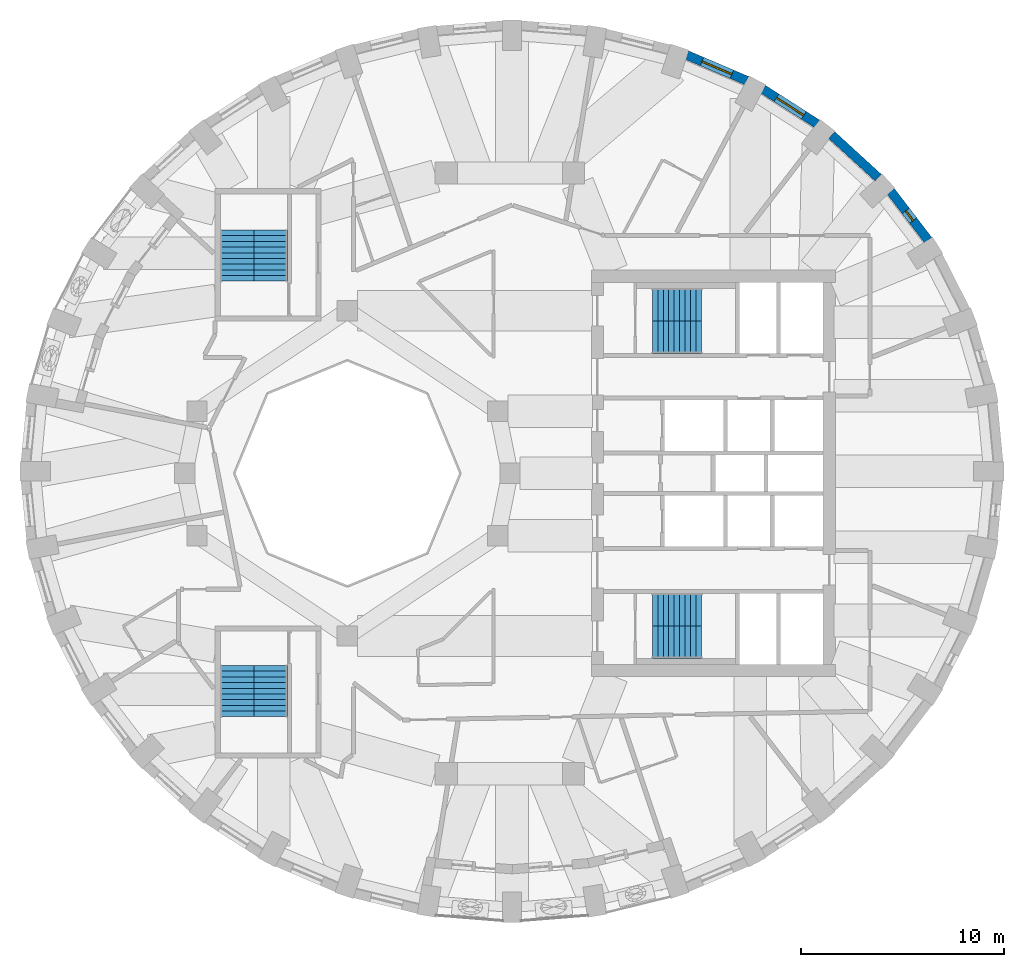
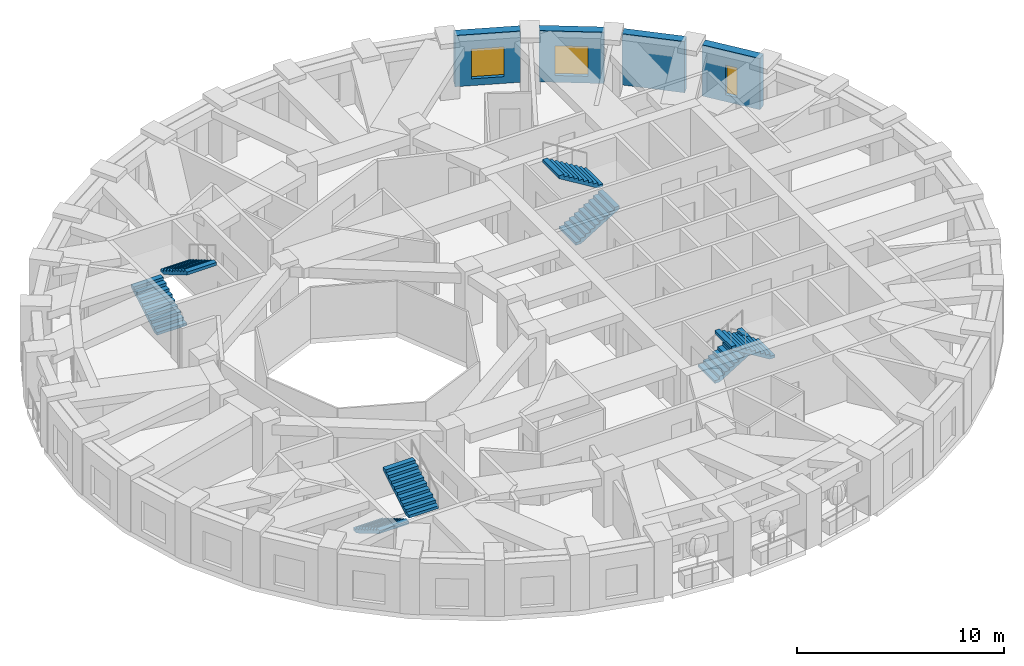
# One storey, part 8 of 11: 8 stair flights, 4 walls, 3 windows, 3 openings, 4 elements without a shape of their own.
"""IFC4 building model written with IfcOpenShell, lengths in metres."""

from ifc_helpers import new_model, si_unit, direction, frame, frame_2d, origin, place, context, subcontext, project, spatial, polyline, rectangle, outline, extrude, material, layer, layer_set, type_object, element, fill, aggregate, save


model = new_model("IFC4")

# Units and contexts
model_context = context("Model", 3, precision=1e-05, world=origin(), true_north=direction((0.0, 1.0)))
body_context = subcontext(model_context, "Body", "Model", "MODEL_VIEW")
ifc_project = project(units=[si_unit("LENGTHUNIT", "METRE"), si_unit("AREAUNIT", "SQUARE_METRE"), si_unit("VOLUMEUNIT", "CUBIC_METRE"), si_unit("PLANEANGLEUNIT", "RADIAN"), si_unit("MASSUNIT", "GRAM", prefix="KILO")], contexts=[model_context])

# Site, building, storey
site_placement = place(None, origin())
site = spatial("IfcSite", under=ifc_project, at=site_placement, CompositionType="ELEMENT")
building_placement = place(site_placement, origin())
building = spatial("IfcBuilding", under=site, at=building_placement, Name="Taillehof Tower", CompositionType="ELEMENT")
storey_placement = place(building_placement, frame((0.0, 0.0, 155.0)))
storey = spatial("IfcBuildingStorey", under=building, at=storey_placement, Name="L43", CompositionType="ELEMENT", Elevation=155.0)

# Wall, opening, window
ifc_material_1 = material(Name="Brick masonry", Category="masonry")
ifc_layer = layer(ifc_material_1, 0.449951171875)
ifc_layer_set = layer_set([ifc_layer], Name="Brick infill wall 450")
wall_type = type_object("IfcWallType", Name="Brick infill wall 450", PredefinedType="SOLIDWALL", material=ifc_layer_set)
wall_1_placement = place(storey_placement, frame((20.573974609375, 11.467041015625, 0.0), z_axis=(0.0, 0.0, 1.0), x_axis=(-0.607817056371, 0.794077090706, 0.0)))
wall_1 = element("IfcWall", 1, at=wall_1_placement, inside=storey, type_object=wall_type, Name="Brick wall L43 bay 4", PredefinedType="SOLIDWALL", context=body_context, shape_type="SweptSolid", body=[
    extrude(rectangle(XDim=3.037109375, YDim=0.449951171875, at=frame_2d((1.5185546875, 0.0))), origin(), (0.0, 0.0, 1.0), 3.02001953125),
])
opening_1_placement = place(wall_1_placement, frame((1.218505859375, 0.0, 0.39990234375)))
opening_1 = element("IfcOpeningElement", 2, at=opening_1_placement, cuts=wall_1, Name="Opening W6", PredefinedType="OPENING", context=body_context, shape_type="SweptSolid", body=[
    extrude(rectangle(XDim=0.60009765625, YDim=1.75, at=frame_2d((0.300048828125, 0.875))), frame((0.0, 0.23486328125, 0.0), z_axis=(0.0, -1.0, 0.0), x_axis=(1.0, 0.0, 0.0)), (0.0, 0.0, 1.0), 0.469970703125),
])
ifc_material_2 = material(Name="Aluminium window frame with clear double glazing", Category="aluminium")
window_type_1 = type_object("IfcWindowType", Name="Slot window 600x1750", PartitioningType="SINGLE_PANEL", PredefinedType="WINDOW", material=ifc_material_2)
window_1_placement = place(opening_1_placement, origin())
window_1 = element("IfcWindow", 3, at=window_1_placement, inside=storey, type_object=window_type_1, Name="W6", OverallHeight=1.75, OverallWidth=0.60009765625, PartitioningType="SINGLE_PANEL", PredefinedType="WINDOW", context=body_context, shape_type="SweptSolid", body=[
    extrude(rectangle(XDim=0.60009765625, YDim=1.75, at=frame_2d((0.300048828125, 0.875))), frame((0.0, 0.034912109375, 0.0), z_axis=(0.0, -1.0, 0.0), x_axis=(1.0, 0.0, 0.0)), (0.0, 0.0, 1.0), 0.06005859375),
])
fill(opening_1, window_1)

# Wall
wall_2_placement = place(storey_placement, frame((18.11328125, 14.5498046875, 0.0), z_axis=(0.0, 0.0, 1.0), x_axis=(-0.737808755941, 0.675009807082, 0.0)))
element("IfcWall", 4, at=wall_2_placement, inside=storey, type_object=wall_type, Name="Brick wall L43 bay 5", PredefinedType="SOLIDWALL", context=body_context, shape_type="SweptSolid", body=[
    extrude(rectangle(XDim=3.094482421875, YDim=0.449951171875, at=frame_2d((1.54736328125, 0.0))), origin(), (0.0, 0.0, 1.0), 3.02001953125),
])

# Wall, opening, window
wall_3_placement = place(storey_placement, frame((15.1083984375, 17.193359375, 0.0), z_axis=(0.0, 0.0, 1.0), x_axis=(-0.842030726237, 0.539429565442, 0.0)))
wall_3 = element("IfcWall", 5, at=wall_3_placement, inside=storey, type_object=wall_type, Name="Brick wall L43 bay 6", PredefinedType="SOLIDWALL", context=body_context, shape_type="SweptSolid", body=[
    extrude(rectangle(XDim=3.1513671875, YDim=0.449951171875, at=frame_2d((1.57568359375, 0.0))), origin(), (0.0, 0.0, 1.0), 3.02001953125),
])
opening_2_placement = place(wall_3_placement, frame((0.775634765625, 0.0, 0.39990234375)))
opening_2 = element("IfcOpeningElement", 6, at=opening_2_placement, cuts=wall_3, Name="Opening W3", PredefinedType="OPENING", context=body_context, shape_type="SweptSolid", body=[
    extrude(rectangle(XDim=1.60009765625, YDim=1.75, at=frame_2d((0.800048828125, 0.875))), frame((0.0, 0.23486328125, 0.0), z_axis=(0.0, -1.0, 0.0), x_axis=(1.0, 0.0, 0.0)), (0.0, 0.0, 1.0), 0.469970703125),
])
ifc_material_3 = material(Name="Aluminium window frame with clear double glazing", Category="aluminium")
window_type_2 = type_object("IfcWindowType", Name="Deep-set window 1600x1750", PartitioningType="SINGLE_PANEL", PredefinedType="WINDOW", material=ifc_material_3)
window_2_placement = place(opening_2_placement, origin())
window_2 = element("IfcWindow", 7, at=window_2_placement, inside=storey, type_object=window_type_2, Name="W3", OverallHeight=1.75, OverallWidth=1.60009765625, PartitioningType="SINGLE_PANEL", PredefinedType="WINDOW", context=body_context, shape_type="SweptSolid", body=[
    extrude(rectangle(XDim=1.60009765625, YDim=1.75, at=frame_2d((0.800048828125, 0.875))), frame((0.0, 0.034912109375, 0.0), z_axis=(0.0, -1.0, 0.0), x_axis=(1.0, 0.0, 0.0)), (0.0, 0.0, 1.0), 0.06005859375),
])
fill(opening_2, window_2)

wall_4_placement = place(storey_placement, frame((11.650390625, 19.318603515625, 0.0), z_axis=(0.0, 0.0, 1.0), x_axis=(-0.91981046949, 0.392362969986, 0.0)))
wall_4 = element("IfcWall", 8, at=wall_4_placement, inside=storey, type_object=wall_type, Name="Brick wall L43 bay 7", PredefinedType="SOLIDWALL", context=body_context, shape_type="SweptSolid", body=[
    extrude(rectangle(XDim=3.20068359375, YDim=0.449951171875, at=frame_2d((1.600341796875, 0.0))), origin(), (0.0, 0.0, 1.0), 3.02001953125),
])
opening_3_placement = place(wall_4_placement, frame((0.80029296875, 0.0, 0.39990234375)))
opening_3 = element("IfcOpeningElement", 9, at=opening_3_placement, cuts=wall_4, Name="Opening W3", PredefinedType="OPENING", context=body_context, shape_type="SweptSolid", body=[
    extrude(rectangle(XDim=1.60009765625, YDim=1.75, at=frame_2d((0.800048828125, 0.875))), frame((0.0, 0.23486328125, 0.0), z_axis=(0.0, -1.0, 0.0), x_axis=(1.0, 0.0, 0.0)), (0.0, 0.0, 1.0), 0.469970703125),
])
window_3_placement = place(opening_3_placement, origin())
window_3 = element("IfcWindow", 10, at=window_3_placement, inside=storey, type_object=window_type_2, Name="W3", OverallHeight=1.75, OverallWidth=1.60009765625, PartitioningType="SINGLE_PANEL", PredefinedType="WINDOW", context=body_context, shape_type="SweptSolid", body=[
    extrude(rectangle(XDim=1.60009765625, YDim=1.75, at=frame_2d((0.800048828125, 0.875))), frame((0.0, 0.034912109375, 0.0), z_axis=(0.0, -1.0, 0.0), x_axis=(1.0, 0.0, 0.0)), (0.0, 0.0, 1.0), 0.06005859375),
])
fill(opening_3, window_3)

# Stair, stair flights
ifc_material_4 = material(Name="Concrete C40/50", Category="concrete")
stair_type = type_object("IfcStairType", Name="Exit stair half-turn", PredefinedType="HALF_TURN_STAIR", material=ifc_material_4)
stair_1_placement = place(storey_placement, origin())
stair_1 = element("IfcStair", 11, at=stair_1_placement, inside=storey, type_object=stair_type, Name="Exit stair S1", PredefinedType="HALF_TURN_STAIR")
ifc_material_5 = material(Name="Concrete C40/50", Category="concrete")
stair_flight_type_1 = type_object("IfcStairFlightType", Name="Stair flight 1600 riser 165.0 going 270", PredefinedType="STRAIGHT", material=ifc_material_5)
stair_flight_1_placement = place(storey_placement, frame((7.0, 6.699951171875, 0.0), z_axis=(0.0, 0.0, 1.0), x_axis=(1.0, 0.0, 0.0)))
stair_flight_1 = element("IfcStairFlight", 12, at=stair_flight_1_placement, type_object=stair_flight_type_1, Name="S1 flight 1", NumberOfRisers=10, NumberOfTreads=9, PredefinedType="STRAIGHT", RiserHeight=0.165, TreadLength=0.27, context=body_context, shape_type="SweptSolid", body=[
    extrude(outline(polyline([(0.0, 0.0), (0.0, 0.00537109375), (0.0, 0.0107421875), (0.0, 0.015869140625), (0.0, 0.021240234375), (0.0, 0.026611328125), (0.0, 0.031982421875), (0.0, 0.037353515625), (0.0, 0.04248046875), (0.0, 0.0478515625), (0.0, 0.05322265625), (0.0, 0.05859375), (0.0, 0.06396484375), (0.0, 0.069091796875), (0.0, 0.074462890625), (0.0, 0.079833984375), (0.0, 0.085205078125), (0.0, 0.090576171875), (0.0, 0.095703125), (0.0, 0.10107421875), (0.0, 0.1064453125), (0.0, 0.11181640625), (0.0, 0.1171875), (0.0, 0.122314453125), (0.0, 0.127685546875), (0.0, 0.133056640625), (0.0, 0.138427734375), (0.0, 0.143798828125), (0.0, 0.14892578125), (0.0, 0.154296875), (0.0, 0.15966796875), (0.0, 0.1650390625), (0.27001953125, 0.1650390625), (0.27001953125, 0.330078125), (0.5400390625, 0.330078125), (0.5400390625, 0.4951171875), (0.81005859375, 0.4951171875), (0.81005859375, 0.659912109375), (1.080078125, 0.659912109375), (1.080078125, 0.824951171875), (1.35009765625, 0.824951171875), (1.35009765625, 0.989990234375), (1.6201171875, 0.989990234375), (1.6201171875, 1.155029296875), (1.889892578125, 1.155029296875), (1.889892578125, 1.320068359375), (2.159912109375, 1.320068359375), (2.159912109375, 1.485107421875), (2.429931640625, 1.485107421875), (2.429931640625, 1.479248046875), (2.429931640625, 1.4736328125), (2.429931640625, 1.468017578125), (2.429931640625, 1.46240234375), (2.429931640625, 1.45654296875), (2.429931640625, 1.450927734375), (2.429931640625, 1.4453125), (2.429931640625, 1.439697265625), (2.429931640625, 1.43408203125), (2.429931640625, 1.42822265625), (2.429931640625, 1.422607421875), (2.429931640625, 1.4169921875), (2.429931640625, 1.411376953125), (2.429931640625, 1.40576171875), (2.429931640625, 1.39990234375), (2.429931640625, 1.394287109375), (2.429931640625, 1.388671875), (2.429931640625, 1.383056640625), (2.429931640625, 1.37744140625), (2.429931640625, 1.37158203125), (2.429931640625, 1.365966796875), (2.429931640625, 1.3603515625), (2.429931640625, 1.354736328125), (2.429931640625, 1.348876953125), (2.429931640625, 1.34326171875), (2.429931640625, 1.337646484375), (2.429931640625, 1.33203125), (2.429931640625, 1.326416015625), (2.429931640625, 1.320556640625), (2.429931640625, 1.31494140625), (2.429931640625, 1.309326171875), (0.287353515625, 0.0), (0.0, 0.0)])), frame((0.0, 0.800048828125, 0.0), z_axis=(0.0, -1.0, 0.0), x_axis=(1.0, 0.0, 0.0)), (0.0, 0.0, 1.0), 1.6),
])
stair_flight_2_placement = place(storey_placement, frame((9.429931640625, 8.300048828125, 1.64990234375), z_axis=(0.0, 0.0, 1.0), x_axis=(-1.0, 0.0, 0.0)))
stair_flight_2 = element("IfcStairFlight", 13, at=stair_flight_2_placement, type_object=stair_flight_type_1, Name="S1 flight 2", NumberOfRisers=10, NumberOfTreads=9, PredefinedType="STRAIGHT", RiserHeight=0.165, TreadLength=0.27, context=body_context, shape_type="SweptSolid", body=[
    extrude(outline(polyline([(0.0, 0.0), (0.0, 0.00537109375), (0.0, 0.0107421875), (0.0, 0.015869140625), (0.0, 0.021240234375), (0.0, 0.026611328125), (0.0, 0.031982421875), (0.0, 0.037353515625), (0.0, 0.04248046875), (0.0, 0.0478515625), (0.0, 0.05322265625), (0.0, 0.05859375), (0.0, 0.06396484375), (0.0, 0.069091796875), (0.0, 0.074462890625), (0.0, 0.079833984375), (0.0, 0.085205078125), (0.0, 0.090576171875), (0.0, 0.095703125), (0.0, 0.10107421875), (0.0, 0.1064453125), (0.0, 0.11181640625), (0.0, 0.1171875), (0.0, 0.122314453125), (0.0, 0.127685546875), (0.0, 0.133056640625), (0.0, 0.138427734375), (0.0, 0.143798828125), (0.0, 0.14892578125), (0.0, 0.154296875), (0.0, 0.15966796875), (0.0, 0.1650390625), (0.27001953125, 0.1650390625), (0.27001953125, 0.330078125), (0.5400390625, 0.330078125), (0.5400390625, 0.4951171875), (0.81005859375, 0.4951171875), (0.81005859375, 0.659912109375), (1.080078125, 0.659912109375), (1.080078125, 0.824951171875), (1.35009765625, 0.824951171875), (1.35009765625, 0.989990234375), (1.6201171875, 0.989990234375), (1.6201171875, 1.155029296875), (1.889892578125, 1.155029296875), (1.889892578125, 1.320068359375), (2.159912109375, 1.320068359375), (2.159912109375, 1.485107421875), (2.429931640625, 1.485107421875), (2.429931640625, 1.479248046875), (2.429931640625, 1.4736328125), (2.429931640625, 1.468017578125), (2.429931640625, 1.46240234375), (2.429931640625, 1.45654296875), (2.429931640625, 1.450927734375), (2.429931640625, 1.4453125), (2.429931640625, 1.439697265625), (2.429931640625, 1.43408203125), (2.429931640625, 1.42822265625), (2.429931640625, 1.422607421875), (2.429931640625, 1.4169921875), (2.429931640625, 1.411376953125), (2.429931640625, 1.40576171875), (2.429931640625, 1.39990234375), (2.429931640625, 1.394287109375), (2.429931640625, 1.388671875), (2.429931640625, 1.383056640625), (2.429931640625, 1.37744140625), (2.429931640625, 1.37158203125), (2.429931640625, 1.365966796875), (2.429931640625, 1.3603515625), (2.429931640625, 1.354736328125), (2.429931640625, 1.348876953125), (2.429931640625, 1.34326171875), (2.429931640625, 1.337646484375), (2.429931640625, 1.33203125), (2.429931640625, 1.326416015625), (2.429931640625, 1.320556640625), (2.429931640625, 1.31494140625), (2.429931640625, 1.309326171875), (0.287353515625, 0.0), (0.0, 0.0)])), frame((0.0, 0.800048828125, 0.0), z_axis=(0.0, -1.0, 0.0), x_axis=(1.0, 0.0, 0.0)), (0.0, 0.0, 1.0), 1.6),
])
aggregate(stair_1, [stair_flight_1, stair_flight_2])

stair_2_placement = place(storey_placement, origin())
stair_2 = element("IfcStair", 14, at=stair_2_placement, inside=storey, type_object=stair_type, Name="Exit stair S2", PredefinedType="HALF_TURN_STAIR")
stair_flight_3_placement = place(storey_placement, frame((7.0, -6.699951171875, 0.0), z_axis=(0.0, 0.0, 1.0), x_axis=(1.0, 0.0, 0.0)))
stair_flight_3 = element("IfcStairFlight", 15, at=stair_flight_3_placement, type_object=stair_flight_type_1, Name="S2 flight 1", NumberOfRisers=10, NumberOfTreads=9, PredefinedType="STRAIGHT", RiserHeight=0.165, TreadLength=0.27, context=body_context, shape_type="SweptSolid", body=[
    extrude(outline(polyline([(0.0, 0.0), (0.0, 0.00537109375), (0.0, 0.0107421875), (0.0, 0.015869140625), (0.0, 0.021240234375), (0.0, 0.026611328125), (0.0, 0.031982421875), (0.0, 0.037353515625), (0.0, 0.04248046875), (0.0, 0.0478515625), (0.0, 0.05322265625), (0.0, 0.05859375), (0.0, 0.06396484375), (0.0, 0.069091796875), (0.0, 0.074462890625), (0.0, 0.079833984375), (0.0, 0.085205078125), (0.0, 0.090576171875), (0.0, 0.095703125), (0.0, 0.10107421875), (0.0, 0.1064453125), (0.0, 0.11181640625), (0.0, 0.1171875), (0.0, 0.122314453125), (0.0, 0.127685546875), (0.0, 0.133056640625), (0.0, 0.138427734375), (0.0, 0.143798828125), (0.0, 0.14892578125), (0.0, 0.154296875), (0.0, 0.15966796875), (0.0, 0.1650390625), (0.27001953125, 0.1650390625), (0.27001953125, 0.330078125), (0.5400390625, 0.330078125), (0.5400390625, 0.4951171875), (0.81005859375, 0.4951171875), (0.81005859375, 0.659912109375), (1.080078125, 0.659912109375), (1.080078125, 0.824951171875), (1.35009765625, 0.824951171875), (1.35009765625, 0.989990234375), (1.6201171875, 0.989990234375), (1.6201171875, 1.155029296875), (1.889892578125, 1.155029296875), (1.889892578125, 1.320068359375), (2.159912109375, 1.320068359375), (2.159912109375, 1.485107421875), (2.429931640625, 1.485107421875), (2.429931640625, 1.479248046875), (2.429931640625, 1.4736328125), (2.429931640625, 1.468017578125), (2.429931640625, 1.46240234375), (2.429931640625, 1.45654296875), (2.429931640625, 1.450927734375), (2.429931640625, 1.4453125), (2.429931640625, 1.439697265625), (2.429931640625, 1.43408203125), (2.429931640625, 1.42822265625), (2.429931640625, 1.422607421875), (2.429931640625, 1.4169921875), (2.429931640625, 1.411376953125), (2.429931640625, 1.40576171875), (2.429931640625, 1.39990234375), (2.429931640625, 1.394287109375), (2.429931640625, 1.388671875), (2.429931640625, 1.383056640625), (2.429931640625, 1.37744140625), (2.429931640625, 1.37158203125), (2.429931640625, 1.365966796875), (2.429931640625, 1.3603515625), (2.429931640625, 1.354736328125), (2.429931640625, 1.348876953125), (2.429931640625, 1.34326171875), (2.429931640625, 1.337646484375), (2.429931640625, 1.33203125), (2.429931640625, 1.326416015625), (2.429931640625, 1.320556640625), (2.429931640625, 1.31494140625), (2.429931640625, 1.309326171875), (0.287353515625, 0.0), (0.0, 0.0)])), frame((0.0, 0.800048828125, 0.0), z_axis=(0.0, -1.0, 0.0), x_axis=(1.0, 0.0, 0.0)), (0.0, 0.0, 1.0), 1.6),
])
stair_flight_4_placement = place(storey_placement, frame((9.429931640625, -8.300048828125, 1.64990234375), z_axis=(0.0, 0.0, 1.0), x_axis=(-1.0, 0.0, 0.0)))
stair_flight_4 = element("IfcStairFlight", 16, at=stair_flight_4_placement, type_object=stair_flight_type_1, Name="S2 flight 2", NumberOfRisers=10, NumberOfTreads=9, PredefinedType="STRAIGHT", RiserHeight=0.165, TreadLength=0.27, context=body_context, shape_type="SweptSolid", body=[
    extrude(outline(polyline([(0.0, 0.0), (0.0, 0.00537109375), (0.0, 0.0107421875), (0.0, 0.015869140625), (0.0, 0.021240234375), (0.0, 0.026611328125), (0.0, 0.031982421875), (0.0, 0.037353515625), (0.0, 0.04248046875), (0.0, 0.0478515625), (0.0, 0.05322265625), (0.0, 0.05859375), (0.0, 0.06396484375), (0.0, 0.069091796875), (0.0, 0.074462890625), (0.0, 0.079833984375), (0.0, 0.085205078125), (0.0, 0.090576171875), (0.0, 0.095703125), (0.0, 0.10107421875), (0.0, 0.1064453125), (0.0, 0.11181640625), (0.0, 0.1171875), (0.0, 0.122314453125), (0.0, 0.127685546875), (0.0, 0.133056640625), (0.0, 0.138427734375), (0.0, 0.143798828125), (0.0, 0.14892578125), (0.0, 0.154296875), (0.0, 0.15966796875), (0.0, 0.1650390625), (0.27001953125, 0.1650390625), (0.27001953125, 0.330078125), (0.5400390625, 0.330078125), (0.5400390625, 0.4951171875), (0.81005859375, 0.4951171875), (0.81005859375, 0.659912109375), (1.080078125, 0.659912109375), (1.080078125, 0.824951171875), (1.35009765625, 0.824951171875), (1.35009765625, 0.989990234375), (1.6201171875, 0.989990234375), (1.6201171875, 1.155029296875), (1.889892578125, 1.155029296875), (1.889892578125, 1.320068359375), (2.159912109375, 1.320068359375), (2.159912109375, 1.485107421875), (2.429931640625, 1.485107421875), (2.429931640625, 1.479248046875), (2.429931640625, 1.4736328125), (2.429931640625, 1.468017578125), (2.429931640625, 1.46240234375), (2.429931640625, 1.45654296875), (2.429931640625, 1.450927734375), (2.429931640625, 1.4453125), (2.429931640625, 1.439697265625), (2.429931640625, 1.43408203125), (2.429931640625, 1.42822265625), (2.429931640625, 1.422607421875), (2.429931640625, 1.4169921875), (2.429931640625, 1.411376953125), (2.429931640625, 1.40576171875), (2.429931640625, 1.39990234375), (2.429931640625, 1.394287109375), (2.429931640625, 1.388671875), (2.429931640625, 1.383056640625), (2.429931640625, 1.37744140625), (2.429931640625, 1.37158203125), (2.429931640625, 1.365966796875), (2.429931640625, 1.3603515625), (2.429931640625, 1.354736328125), (2.429931640625, 1.348876953125), (2.429931640625, 1.34326171875), (2.429931640625, 1.337646484375), (2.429931640625, 1.33203125), (2.429931640625, 1.326416015625), (2.429931640625, 1.320556640625), (2.429931640625, 1.31494140625), (2.429931640625, 1.309326171875), (0.287353515625, 0.0), (0.0, 0.0)])), frame((0.0, 0.800048828125, 0.0), z_axis=(0.0, -1.0, 0.0), x_axis=(1.0, 0.0, 0.0)), (0.0, 0.0, 1.0), 1.6),
])
aggregate(stair_2, [stair_flight_3, stair_flight_4])

stair_3_placement = place(storey_placement, origin())
stair_3 = element("IfcStair", 17, at=stair_3_placement, inside=storey, type_object=stair_type, Name="Exit stair S3", PredefinedType="HALF_TURN_STAIR")
ifc_material_6 = material(Name="Concrete C40/50", Category="concrete")
stair_flight_type_2 = type_object("IfcStairFlightType", Name="Stair flight 1650 riser 165.0 going 280", PredefinedType="STRAIGHT", material=ifc_material_6)
stair_flight_5_placement = place(storey_placement, frame((-13.425048828125, 9.449951171875, 0.0), z_axis=(0.0, 0.0, 1.0), x_axis=(0.0, 1.0, 0.0)))
stair_flight_5 = element("IfcStairFlight", 18, at=stair_flight_5_placement, type_object=stair_flight_type_2, Name="S3 flight 1", NumberOfRisers=10, NumberOfTreads=9, PredefinedType="STRAIGHT", RiserHeight=0.165, TreadLength=0.28, context=body_context, shape_type="SweptSolid", body=[
    extrude(outline(polyline([(0.0, 0.0), (0.0, 0.00537109375), (0.0, 0.0107421875), (0.0, 0.015869140625), (0.0, 0.021240234375), (0.0, 0.026611328125), (0.0, 0.031982421875), (0.0, 0.037353515625), (0.0, 0.04248046875), (0.0, 0.0478515625), (0.0, 0.05322265625), (0.0, 0.05859375), (0.0, 0.06396484375), (0.0, 0.069091796875), (0.0, 0.074462890625), (0.0, 0.079833984375), (0.0, 0.085205078125), (0.0, 0.090576171875), (0.0, 0.095703125), (0.0, 0.10107421875), (0.0, 0.1064453125), (0.0, 0.11181640625), (0.0, 0.1171875), (0.0, 0.122314453125), (0.0, 0.127685546875), (0.0, 0.133056640625), (0.0, 0.138427734375), (0.0, 0.143798828125), (0.0, 0.14892578125), (0.0, 0.154296875), (0.0, 0.15966796875), (0.0, 0.1650390625), (0.280029296875, 0.1650390625), (0.280029296875, 0.330078125), (0.56005859375, 0.330078125), (0.56005859375, 0.4951171875), (0.840087890625, 0.4951171875), (0.840087890625, 0.659912109375), (1.1201171875, 0.659912109375), (1.1201171875, 0.824951171875), (1.39990234375, 0.824951171875), (1.39990234375, 0.989990234375), (1.679931640625, 0.989990234375), (1.679931640625, 1.155029296875), (1.9599609375, 1.155029296875), (1.9599609375, 1.320068359375), (2.239990234375, 1.320068359375), (2.239990234375, 1.485107421875), (2.52001953125, 1.485107421875), (2.52001953125, 1.4794921875), (2.52001953125, 1.473876953125), (2.52001953125, 1.46826171875), (2.52001953125, 1.462646484375), (2.52001953125, 1.45703125), (2.52001953125, 1.451416015625), (2.52001953125, 1.44580078125), (2.52001953125, 1.440185546875), (2.52001953125, 1.4345703125), (2.52001953125, 1.428955078125), (2.52001953125, 1.42333984375), (2.52001953125, 1.417724609375), (2.52001953125, 1.412109375), (2.52001953125, 1.406494140625), (2.52001953125, 1.40087890625), (2.52001953125, 1.395263671875), (2.52001953125, 1.3896484375), (2.52001953125, 1.384033203125), (2.52001953125, 1.37841796875), (2.52001953125, 1.372802734375), (2.52001953125, 1.3671875), (2.52001953125, 1.361572265625), (2.52001953125, 1.35595703125), (2.52001953125, 1.350341796875), (2.52001953125, 1.3447265625), (2.52001953125, 1.339111328125), (2.52001953125, 1.33349609375), (2.52001953125, 1.327880859375), (2.52001953125, 1.322265625), (2.52001953125, 1.316650390625), (2.52001953125, 1.31103515625), (0.295166015625, 0.0), (0.0, 0.0)])), frame((0.0, 0.824951171875, 0.0), z_axis=(0.0, -1.0, 0.0), x_axis=(1.0, 0.0, 0.0)), (0.0, 0.0, 1.0), 1.65),
])
stair_flight_6_placement = place(storey_placement, frame((-11.77490234375, 11.969970703125, 1.64990234375), z_axis=(0.0, 0.0, 1.0), x_axis=(0.0, -1.0, 0.0)))
stair_flight_6 = element("IfcStairFlight", 19, at=stair_flight_6_placement, type_object=stair_flight_type_2, Name="S3 flight 2", NumberOfRisers=10, NumberOfTreads=9, PredefinedType="STRAIGHT", RiserHeight=0.165, TreadLength=0.28, context=body_context, shape_type="SweptSolid", body=[
    extrude(outline(polyline([(0.0, 0.0), (0.0, 0.00537109375), (0.0, 0.0107421875), (0.0, 0.015869140625), (0.0, 0.021240234375), (0.0, 0.026611328125), (0.0, 0.031982421875), (0.0, 0.037353515625), (0.0, 0.04248046875), (0.0, 0.0478515625), (0.0, 0.05322265625), (0.0, 0.05859375), (0.0, 0.06396484375), (0.0, 0.069091796875), (0.0, 0.074462890625), (0.0, 0.079833984375), (0.0, 0.085205078125), (0.0, 0.090576171875), (0.0, 0.095703125), (0.0, 0.10107421875), (0.0, 0.1064453125), (0.0, 0.11181640625), (0.0, 0.1171875), (0.0, 0.122314453125), (0.0, 0.127685546875), (0.0, 0.133056640625), (0.0, 0.138427734375), (0.0, 0.143798828125), (0.0, 0.14892578125), (0.0, 0.154296875), (0.0, 0.15966796875), (0.0, 0.1650390625), (0.280029296875, 0.1650390625), (0.280029296875, 0.330078125), (0.56005859375, 0.330078125), (0.56005859375, 0.4951171875), (0.840087890625, 0.4951171875), (0.840087890625, 0.659912109375), (1.1201171875, 0.659912109375), (1.1201171875, 0.824951171875), (1.39990234375, 0.824951171875), (1.39990234375, 0.989990234375), (1.679931640625, 0.989990234375), (1.679931640625, 1.155029296875), (1.9599609375, 1.155029296875), (1.9599609375, 1.320068359375), (2.239990234375, 1.320068359375), (2.239990234375, 1.485107421875), (2.52001953125, 1.485107421875), (2.52001953125, 1.4794921875), (2.52001953125, 1.473876953125), (2.52001953125, 1.46826171875), (2.52001953125, 1.462646484375), (2.52001953125, 1.45703125), (2.52001953125, 1.451416015625), (2.52001953125, 1.44580078125), (2.52001953125, 1.440185546875), (2.52001953125, 1.4345703125), (2.52001953125, 1.428955078125), (2.52001953125, 1.42333984375), (2.52001953125, 1.417724609375), (2.52001953125, 1.412109375), (2.52001953125, 1.406494140625), (2.52001953125, 1.40087890625), (2.52001953125, 1.395263671875), (2.52001953125, 1.3896484375), (2.52001953125, 1.384033203125), (2.52001953125, 1.37841796875), (2.52001953125, 1.372802734375), (2.52001953125, 1.3671875), (2.52001953125, 1.361572265625), (2.52001953125, 1.35595703125), (2.52001953125, 1.350341796875), (2.52001953125, 1.3447265625), (2.52001953125, 1.339111328125), (2.52001953125, 1.33349609375), (2.52001953125, 1.327880859375), (2.52001953125, 1.322265625), (2.52001953125, 1.316650390625), (2.52001953125, 1.31103515625), (0.295166015625, 0.0), (0.0, 0.0)])), frame((0.0, 0.824951171875, 0.0), z_axis=(0.0, -1.0, 0.0), x_axis=(1.0, 0.0, 0.0)), (0.0, 0.0, 1.0), 1.65),
])
aggregate(stair_3, [stair_flight_5, stair_flight_6])

stair_4_placement = place(storey_placement, origin())
stair_4 = element("IfcStair", 20, at=stair_4_placement, inside=storey, type_object=stair_type, Name="Exit stair S4", PredefinedType="HALF_TURN_STAIR")
stair_flight_7_placement = place(storey_placement, frame((-13.425048828125, -9.449951171875, 0.0), z_axis=(0.0, 0.0, 1.0), x_axis=(0.0, -1.0, 0.0)))
stair_flight_7 = element("IfcStairFlight", 21, at=stair_flight_7_placement, type_object=stair_flight_type_2, Name="S4 flight 1", NumberOfRisers=10, NumberOfTreads=9, PredefinedType="STRAIGHT", RiserHeight=0.165, TreadLength=0.28, context=body_context, shape_type="SweptSolid", body=[
    extrude(outline(polyline([(0.0, 0.0), (0.0, 0.00537109375), (0.0, 0.0107421875), (0.0, 0.015869140625), (0.0, 0.021240234375), (0.0, 0.026611328125), (0.0, 0.031982421875), (0.0, 0.037353515625), (0.0, 0.04248046875), (0.0, 0.0478515625), (0.0, 0.05322265625), (0.0, 0.05859375), (0.0, 0.06396484375), (0.0, 0.069091796875), (0.0, 0.074462890625), (0.0, 0.079833984375), (0.0, 0.085205078125), (0.0, 0.090576171875), (0.0, 0.095703125), (0.0, 0.10107421875), (0.0, 0.1064453125), (0.0, 0.11181640625), (0.0, 0.1171875), (0.0, 0.122314453125), (0.0, 0.127685546875), (0.0, 0.133056640625), (0.0, 0.138427734375), (0.0, 0.143798828125), (0.0, 0.14892578125), (0.0, 0.154296875), (0.0, 0.15966796875), (0.0, 0.1650390625), (0.280029296875, 0.1650390625), (0.280029296875, 0.330078125), (0.56005859375, 0.330078125), (0.56005859375, 0.4951171875), (0.840087890625, 0.4951171875), (0.840087890625, 0.659912109375), (1.1201171875, 0.659912109375), (1.1201171875, 0.824951171875), (1.39990234375, 0.824951171875), (1.39990234375, 0.989990234375), (1.679931640625, 0.989990234375), (1.679931640625, 1.155029296875), (1.9599609375, 1.155029296875), (1.9599609375, 1.320068359375), (2.239990234375, 1.320068359375), (2.239990234375, 1.485107421875), (2.52001953125, 1.485107421875), (2.52001953125, 1.4794921875), (2.52001953125, 1.473876953125), (2.52001953125, 1.46826171875), (2.52001953125, 1.462646484375), (2.52001953125, 1.45703125), (2.52001953125, 1.451416015625), (2.52001953125, 1.44580078125), (2.52001953125, 1.440185546875), (2.52001953125, 1.4345703125), (2.52001953125, 1.428955078125), (2.52001953125, 1.42333984375), (2.52001953125, 1.417724609375), (2.52001953125, 1.412109375), (2.52001953125, 1.406494140625), (2.52001953125, 1.40087890625), (2.52001953125, 1.395263671875), (2.52001953125, 1.3896484375), (2.52001953125, 1.384033203125), (2.52001953125, 1.37841796875), (2.52001953125, 1.372802734375), (2.52001953125, 1.3671875), (2.52001953125, 1.361572265625), (2.52001953125, 1.35595703125), (2.52001953125, 1.350341796875), (2.52001953125, 1.3447265625), (2.52001953125, 1.339111328125), (2.52001953125, 1.33349609375), (2.52001953125, 1.327880859375), (2.52001953125, 1.322265625), (2.52001953125, 1.316650390625), (2.52001953125, 1.31103515625), (0.295166015625, 0.0), (0.0, 0.0)])), frame((0.0, 0.824951171875, 0.0), z_axis=(0.0, -1.0, 0.0), x_axis=(1.0, 0.0, 0.0)), (0.0, 0.0, 1.0), 1.65),
])
stair_flight_8_placement = place(storey_placement, frame((-11.77490234375, -11.969970703125, 1.64990234375), z_axis=(0.0, 0.0, 1.0), x_axis=(0.0, 1.0, 0.0)))
stair_flight_8 = element("IfcStairFlight", 22, at=stair_flight_8_placement, type_object=stair_flight_type_2, Name="S4 flight 2", NumberOfRisers=10, NumberOfTreads=9, PredefinedType="STRAIGHT", RiserHeight=0.165, TreadLength=0.28, context=body_context, shape_type="SweptSolid", body=[
    extrude(outline(polyline([(0.0, 0.0), (0.0, 0.00537109375), (0.0, 0.0107421875), (0.0, 0.015869140625), (0.0, 0.021240234375), (0.0, 0.026611328125), (0.0, 0.031982421875), (0.0, 0.037353515625), (0.0, 0.04248046875), (0.0, 0.0478515625), (0.0, 0.05322265625), (0.0, 0.05859375), (0.0, 0.06396484375), (0.0, 0.069091796875), (0.0, 0.074462890625), (0.0, 0.079833984375), (0.0, 0.085205078125), (0.0, 0.090576171875), (0.0, 0.095703125), (0.0, 0.10107421875), (0.0, 0.1064453125), (0.0, 0.11181640625), (0.0, 0.1171875), (0.0, 0.122314453125), (0.0, 0.127685546875), (0.0, 0.133056640625), (0.0, 0.138427734375), (0.0, 0.143798828125), (0.0, 0.14892578125), (0.0, 0.154296875), (0.0, 0.15966796875), (0.0, 0.1650390625), (0.280029296875, 0.1650390625), (0.280029296875, 0.330078125), (0.56005859375, 0.330078125), (0.56005859375, 0.4951171875), (0.840087890625, 0.4951171875), (0.840087890625, 0.659912109375), (1.1201171875, 0.659912109375), (1.1201171875, 0.824951171875), (1.39990234375, 0.824951171875), (1.39990234375, 0.989990234375), (1.679931640625, 0.989990234375), (1.679931640625, 1.155029296875), (1.9599609375, 1.155029296875), (1.9599609375, 1.320068359375), (2.239990234375, 1.320068359375), (2.239990234375, 1.485107421875), (2.52001953125, 1.485107421875), (2.52001953125, 1.4794921875), (2.52001953125, 1.473876953125), (2.52001953125, 1.46826171875), (2.52001953125, 1.462646484375), (2.52001953125, 1.45703125), (2.52001953125, 1.451416015625), (2.52001953125, 1.44580078125), (2.52001953125, 1.440185546875), (2.52001953125, 1.4345703125), (2.52001953125, 1.428955078125), (2.52001953125, 1.42333984375), (2.52001953125, 1.417724609375), (2.52001953125, 1.412109375), (2.52001953125, 1.406494140625), (2.52001953125, 1.40087890625), (2.52001953125, 1.395263671875), (2.52001953125, 1.3896484375), (2.52001953125, 1.384033203125), (2.52001953125, 1.37841796875), (2.52001953125, 1.372802734375), (2.52001953125, 1.3671875), (2.52001953125, 1.361572265625), (2.52001953125, 1.35595703125), (2.52001953125, 1.350341796875), (2.52001953125, 1.3447265625), (2.52001953125, 1.339111328125), (2.52001953125, 1.33349609375), (2.52001953125, 1.327880859375), (2.52001953125, 1.322265625), (2.52001953125, 1.316650390625), (2.52001953125, 1.31103515625), (0.295166015625, 0.0), (0.0, 0.0)])), frame((0.0, 0.824951171875, 0.0), z_axis=(0.0, -1.0, 0.0), x_axis=(1.0, 0.0, 0.0)), (0.0, 0.0, 1.0), 1.65),
])
aggregate(stair_4, [stair_flight_7, stair_flight_8])

save(model, "model.ifc")
